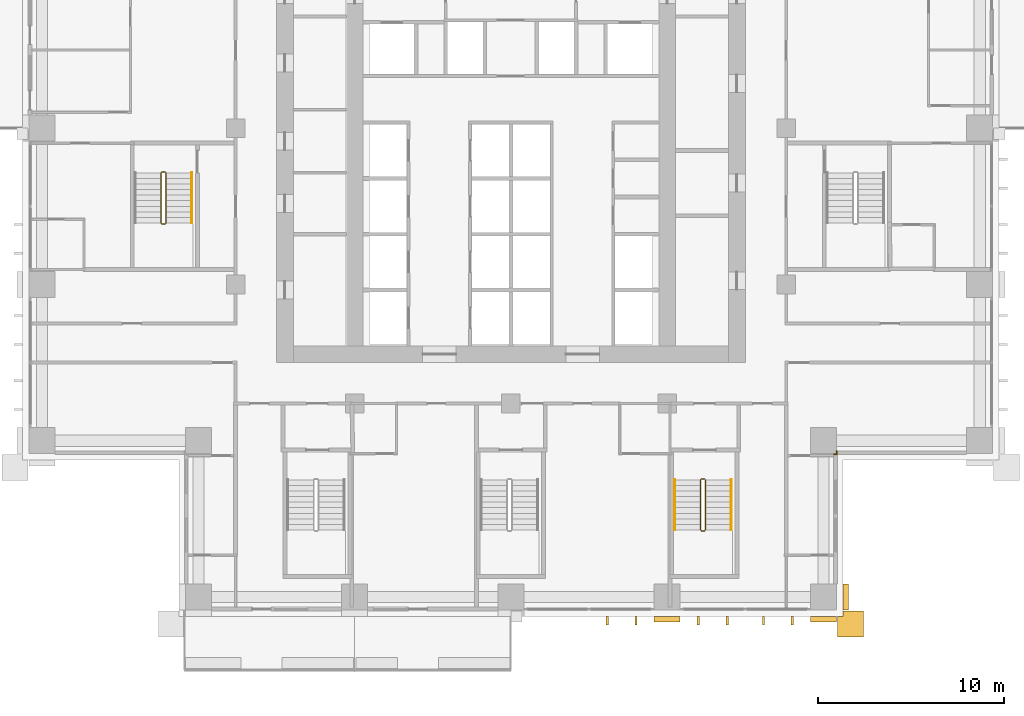
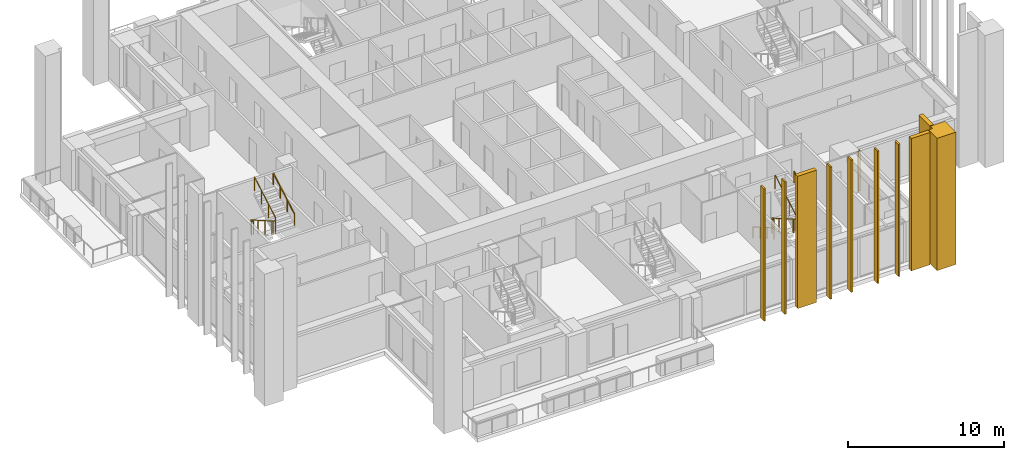
# One storey, part 14 of 17: 11 coverings, 5 railings.
"""IFC4 building model written with IfcOpenShell, lengths in metres."""

from ifc_helpers import new_model, si_unit, direction, frame, origin, origin_2d, place, context, subcontext, project, spatial, polyline, rectangle, outline, extrude, material, layer, layer_set, type_object, element, save


model = new_model("IFC4")

# Units and contexts
model_context = context("Model", 3, precision=1e-05, world=origin(), true_north=direction((0.0, 1.0)))
body_context = subcontext(model_context, "Body", "Model", "MODEL_VIEW")
ifc_project = project(units=[si_unit("LENGTHUNIT", "METRE"), si_unit("AREAUNIT", "SQUARE_METRE"), si_unit("VOLUMEUNIT", "CUBIC_METRE"), si_unit("PLANEANGLEUNIT", "RADIAN"), si_unit("MASSUNIT", "GRAM", prefix="KILO")], contexts=[model_context])

# Site, building, storey
site_placement = place(None, origin())
site = spatial("IfcSite", under=ifc_project, at=site_placement, CompositionType="ELEMENT")
building_placement = place(site_placement, origin())
building = spatial("IfcBuilding", under=site, at=building_placement, Name="Vermilion Ogive Tower", CompositionType="ELEMENT")
storey_placement = place(building_placement, frame((0.0, 0.0, 37.949951171875)))
storey = spatial("IfcBuildingStorey", under=building, at=storey_placement, Name="L07", CompositionType="ELEMENT", Elevation=37.949951171875)

# Coverings
ifc_material_1 = material(Name="Glazed ceramic screen")
ifc_layer = layer(ifc_material_1, 0.14990234375)
ifc_layer_set = layer_set([ifc_layer], Name="Ceramic solar screen fin")
covering_type_1 = type_object("IfcCoveringType", Name="Ceramic solar screen fin", PredefinedType="CLADDING", material=ifc_layer_set)
covering_1_placement = place(storey_placement, frame((0.0, 0.0, -0.320068359375)))
element("IfcCovering", 1, at=covering_1_placement, inside=storey, type_object=covering_type_1, Name="Solar screen blade S011", PredefinedType="CLADDING", context=body_context, shape_type="SweptSolid", body=[
    extrude(outline(polyline([(5.114990234375, -22.5), (5.235107421875, -22.5), (5.235107421875, -22.050048828125), (5.114990234375, -22.050048828125), (5.114990234375, -22.5)])), origin(), (0.0, 0.0, 1.0), 10.35009765625),
])
covering_2_placement = place(storey_placement, frame((0.0, 0.0, -0.320068359375)))
element("IfcCovering", 2, at=covering_2_placement, inside=storey, type_object=covering_type_1, Name="Solar screen blade S012", PredefinedType="CLADDING", context=body_context, shape_type="SweptSolid", body=[
    extrude(outline(polyline([(6.6650390625, -22.5), (6.784912109375, -22.5), (6.784912109375, -22.050048828125), (6.6650390625, -22.050048828125), (6.6650390625, -22.5)])), origin(), (0.0, 0.0, 1.0), 10.35009765625),
])
covering_3_placement = place(storey_placement, frame((0.0, 0.0, -0.320068359375)))
element("IfcCovering", 3, at=covering_3_placement, inside=storey, type_object=covering_type_1, Name="Solar screen blade S021", PredefinedType="CLADDING", context=body_context, shape_type="SweptSolid", body=[
    extrude(outline(polyline([(10.014892578125, -22.5), (10.135009765625, -22.5), (10.135009765625, -22.050048828125), (10.014892578125, -22.050048828125), (10.014892578125, -22.5)])), origin(), (0.0, 0.0, 1.0), 10.35009765625),
])
covering_4_placement = place(storey_placement, frame((0.0, 0.0, -0.320068359375)))
element("IfcCovering", 4, at=covering_4_placement, inside=storey, type_object=covering_type_1, Name="Solar screen blade S022", PredefinedType="CLADDING", context=body_context, shape_type="SweptSolid", body=[
    extrude(outline(polyline([(11.56494140625, -22.5), (11.68505859375, -22.5), (11.68505859375, -22.050048828125), (11.56494140625, -22.050048828125), (11.56494140625, -22.5)])), origin(), (0.0, 0.0, 1.0), 10.35009765625),
])
covering_5_placement = place(storey_placement, frame((0.0, 0.0, -0.320068359375)))
element("IfcCovering", 5, at=covering_5_placement, inside=storey, type_object=covering_type_1, Name="Solar screen blade S031", PredefinedType="CLADDING", context=body_context, shape_type="SweptSolid", body=[
    extrude(outline(polyline([(13.514892578125, -22.5), (13.635009765625, -22.5), (13.635009765625, -22.050048828125), (13.514892578125, -22.050048828125), (13.514892578125, -22.5)])), origin(), (0.0, 0.0, 1.0), 10.35009765625),
])
covering_6_placement = place(storey_placement, frame((0.0, 0.0, -0.320068359375)))
element("IfcCovering", 6, at=covering_6_placement, inside=storey, type_object=covering_type_1, Name="Solar screen blade S032", PredefinedType="CLADDING", context=body_context, shape_type="SweptSolid", body=[
    extrude(outline(polyline([(15.06494140625, -22.5), (15.18505859375, -22.5), (15.18505859375, -22.050048828125), (15.06494140625, -22.050048828125), (15.06494140625, -22.5)])), origin(), (0.0, 0.0, 1.0), 10.35009765625),
])

# Railings
ifc_material_2 = material(Name="Steel S355 painted", Category="steel")
railing_type_1 = type_object("IfcRailingType", Name="Stair guard 1100", PredefinedType="GUARDRAIL", material=ifc_material_2)
railing_1_placement = place(storey_placement, frame((10.39990234375, -14.64990234375, 0.0)))
element("IfcRailing", 7, at=railing_1_placement, inside=storey, type_object=railing_type_1, Name="L07 ST5 stair guard 4", PredefinedType="GUARDRAIL", context=body_context, shape_type="SweptSolid", body=[
    extrude(rectangle(XDim=0.048095703125, YDim=0.048095703125, at=origin_2d()), frame((0.0, 0.0, 1.076171875), z_axis=(-1.0, 0.0, 0.0), x_axis=(0.0, -1.0, 0.0)), (0.0, 0.0, 1.0), 0.14990234375),
    extrude(rectangle(XDim=0.048095703125, YDim=0.048095703125, at=origin_2d()), frame((-0.14990234375, 0.0, 1.076171875), z_axis=(-0.268277960024, -0.268277960024, 0.925231793839), x_axis=(0.707106781187, -0.707106781187, 0.0)), (0.0, 0.0, 1.0), 0.1865234375),
    extrude(rectangle(XDim=0.048095703125, YDim=0.048095703125, at=origin_2d()), frame((-0.199951171875, -0.050048828125, 1.24853515625), z_axis=(0.0, -0.866903762492, 0.498475542607), x_axis=(1.0, 0.0, 0.0)), (0.0, 0.0, 1.0), 3.114501953125),
    extrude(rectangle(XDim=0.048095703125, YDim=0.048095703125, at=origin_2d()), frame((-0.199951171875, -2.75, 2.80126953125), z_axis=(0.707106781187, -0.707106781187, 0.0), x_axis=(0.707106781187, 0.707106781187, 0.0)), (0.0, 0.0, 1.0), 0.07080078125),
    extrude(rectangle(XDim=0.048095703125, YDim=0.048095703125, at=origin_2d()), frame((-0.14990234375, -2.800048828125, 2.80126953125), z_axis=(1.0, 0.0, 0.0), x_axis=(0.0, 1.0, 0.0)), (0.0, 0.0, 1.0), 0.14990234375),
    extrude(rectangle(XDim=0.048095703125, YDim=0.048095703125, at=origin_2d()), frame((0.0, -2.800048828125, 2.80126953125), z_axis=(0.268603158521, 0.268603158521, 0.925043072762), x_axis=(-0.707106781187, 0.707106781187, 0.0)), (0.0, 0.0, 1.0), 0.186279296875),
    extrude(rectangle(XDim=0.048095703125, YDim=0.048095703125, at=origin_2d()), frame((0.050048828125, -2.75, 2.9736328125), z_axis=(0.0, 0.866903762492, 0.498475542607), x_axis=(-1.0, 0.0, 0.0)), (0.0, 0.0, 1.0), 3.114501953125),
    extrude(rectangle(XDim=0.0419921875, YDim=0.0419921875, at=origin_2d()), origin(), (0.0, 0.0, 1.0), 1.052001953125),
    extrude(rectangle(XDim=0.0419921875, YDim=0.0419921875, at=origin_2d()), frame((-0.14990234375, 0.0, 0.0)), (0.0, 0.0, 1.0), 1.052001953125),
    extrude(rectangle(XDim=0.0419921875, YDim=0.0419921875, at=origin_2d()), frame((-0.199951171875, -0.050048828125, 0.172607421875)), (0.0, 0.0, 1.0), 1.052001953125),
    extrude(rectangle(XDim=0.0419921875, YDim=0.0419921875, at=origin_2d()), frame((-0.199951171875, -0.949951171875, 0.690185546875)), (0.0, 0.0, 1.0), 1.052001953125),
    extrude(rectangle(XDim=0.0419921875, YDim=0.0419921875, at=origin_2d()), frame((-0.199951171875, -1.85009765625, 1.20751953125)), (0.0, 0.0, 1.0), 1.052001953125),
    extrude(rectangle(XDim=0.0419921875, YDim=0.0419921875, at=origin_2d()), frame((-0.199951171875, -2.75, 1.72509765625)), (0.0, 0.0, 1.0), 1.052001953125),
    extrude(rectangle(XDim=0.0419921875, YDim=0.0419921875, at=origin_2d()), frame((-0.14990234375, -2.800048828125, 1.72509765625)), (0.0, 0.0, 1.0), 1.052001953125),
    extrude(rectangle(XDim=0.0419921875, YDim=0.0419921875, at=origin_2d()), frame((0.0, -2.800048828125, 1.72509765625)), (0.0, 0.0, 1.0), 1.052001953125),
    extrude(rectangle(XDim=0.0419921875, YDim=0.0419921875, at=origin_2d()), frame((0.050048828125, -2.75, 1.8974609375)), (0.0, 0.0, 1.0), 1.052001953125),
    extrude(rectangle(XDim=0.0419921875, YDim=0.0419921875, at=origin_2d()), frame((0.050048828125, -1.85009765625, 2.4150390625)), (0.0, 0.0, 1.0), 1.052001953125),
    extrude(rectangle(XDim=0.0419921875, YDim=0.0419921875, at=origin_2d()), frame((0.050048828125, -0.949951171875, 2.932373046875)), (0.0, 0.0, 1.0), 1.052001953125),
    extrude(rectangle(XDim=0.0419921875, YDim=0.0419921875, at=origin_2d()), frame((0.050048828125, -0.050048828125, 3.449951171875)), (0.0, 0.0, 1.0), 1.052001953125),
])
railing_2_placement = place(storey_placement, frame((-18.60009765625, 1.85009765625, 0.0)))
element("IfcRailing", 8, at=railing_2_placement, inside=storey, type_object=railing_type_1, Name="L07 ST9 stair guard 4", PredefinedType="GUARDRAIL", context=body_context, shape_type="SweptSolid", body=[
    extrude(rectangle(XDim=0.048095703125, YDim=0.048095703125, at=origin_2d()), frame((0.0, 0.0, 1.076171875), z_axis=(-1.0, 0.0, 0.0), x_axis=(0.0, -1.0, 0.0)), (0.0, 0.0, 1.0), 0.14990234375),
    extrude(rectangle(XDim=0.048095703125, YDim=0.048095703125, at=origin_2d()), frame((-0.14990234375, 0.0, 1.076171875), z_axis=(-0.268277960024, -0.268277960024, 0.925231793839), x_axis=(0.707106781187, -0.707106781187, 0.0)), (0.0, 0.0, 1.0), 0.1865234375),
    extrude(rectangle(XDim=0.048095703125, YDim=0.048095703125, at=origin_2d()), frame((-0.199951171875, -0.050048828125, 1.24853515625), z_axis=(0.0, -0.866903762492, 0.498475542607), x_axis=(1.0, 0.0, 0.0)), (0.0, 0.0, 1.0), 3.114501953125),
    extrude(rectangle(XDim=0.048095703125, YDim=0.048095703125, at=origin_2d()), frame((-0.199951171875, -2.75, 2.80126953125), z_axis=(0.707106781187, -0.707106781187, 0.0), x_axis=(0.707106781187, 0.707106781187, 0.0)), (0.0, 0.0, 1.0), 0.07080078125),
    extrude(rectangle(XDim=0.048095703125, YDim=0.048095703125, at=origin_2d()), frame((-0.14990234375, -2.800048828125, 2.80126953125), z_axis=(1.0, 0.0, 0.0), x_axis=(0.0, 1.0, 0.0)), (0.0, 0.0, 1.0), 0.14990234375),
    extrude(rectangle(XDim=0.048095703125, YDim=0.048095703125, at=origin_2d()), frame((0.0, -2.800048828125, 2.80126953125), z_axis=(0.268603158521, 0.268603158521, 0.925043072762), x_axis=(-0.707106781187, 0.707106781187, 0.0)), (0.0, 0.0, 1.0), 0.186279296875),
    extrude(rectangle(XDim=0.048095703125, YDim=0.048095703125, at=origin_2d()), frame((0.050048828125, -2.75, 2.9736328125), z_axis=(0.0, 0.866903762492, 0.498475542607), x_axis=(-1.0, 0.0, 0.0)), (0.0, 0.0, 1.0), 3.114501953125),
    extrude(rectangle(XDim=0.0419921875, YDim=0.0419921875, at=origin_2d()), origin(), (0.0, 0.0, 1.0), 1.052001953125),
    extrude(rectangle(XDim=0.0419921875, YDim=0.0419921875, at=origin_2d()), frame((-0.14990234375, 0.0, 0.0)), (0.0, 0.0, 1.0), 1.052001953125),
    extrude(rectangle(XDim=0.0419921875, YDim=0.0419921875, at=origin_2d()), frame((-0.199951171875, -0.050048828125, 0.172607421875)), (0.0, 0.0, 1.0), 1.052001953125),
    extrude(rectangle(XDim=0.0419921875, YDim=0.0419921875, at=origin_2d()), frame((-0.199951171875, -0.949951171875, 0.690185546875)), (0.0, 0.0, 1.0), 1.052001953125),
    extrude(rectangle(XDim=0.0419921875, YDim=0.0419921875, at=origin_2d()), frame((-0.199951171875, -1.85009765625, 1.20751953125)), (0.0, 0.0, 1.0), 1.052001953125),
    extrude(rectangle(XDim=0.0419921875, YDim=0.0419921875, at=origin_2d()), frame((-0.199951171875, -2.75, 1.72509765625)), (0.0, 0.0, 1.0), 1.052001953125),
    extrude(rectangle(XDim=0.0419921875, YDim=0.0419921875, at=origin_2d()), frame((-0.14990234375, -2.800048828125, 1.72509765625)), (0.0, 0.0, 1.0), 1.052001953125),
    extrude(rectangle(XDim=0.0419921875, YDim=0.0419921875, at=origin_2d()), frame((0.0, -2.800048828125, 1.72509765625)), (0.0, 0.0, 1.0), 1.052001953125),
    extrude(rectangle(XDim=0.0419921875, YDim=0.0419921875, at=origin_2d()), frame((0.050048828125, -2.75, 1.8974609375)), (0.0, 0.0, 1.0), 1.052001953125),
    extrude(rectangle(XDim=0.0419921875, YDim=0.0419921875, at=origin_2d()), frame((0.050048828125, -1.85009765625, 2.4150390625)), (0.0, 0.0, 1.0), 1.052001953125),
    extrude(rectangle(XDim=0.0419921875, YDim=0.0419921875, at=origin_2d()), frame((0.050048828125, -0.949951171875, 2.932373046875)), (0.0, 0.0, 1.0), 1.052001953125),
    extrude(rectangle(XDim=0.0419921875, YDim=0.0419921875, at=origin_2d()), frame((0.050048828125, -0.050048828125, 3.449951171875)), (0.0, 0.0, 1.0), 1.052001953125),
])
ifc_material_3 = material(Name="Stainless steel", Category="steel")
railing_type_2 = type_object("IfcRailingType", Name="Stair handrail 900", PredefinedType="HANDRAIL", material=ifc_material_3)
railing_3_placement = place(storey_placement, frame((8.800048828125, -14.699951171875, 0.172607421875)))
element("IfcRailing", 9, at=railing_3_placement, inside=storey, type_object=railing_type_2, Name="L07 ST5 stair handrail 1", PredefinedType="HANDRAIL", context=body_context, shape_type="SweptSolid", body=[
    extrude(rectangle(XDim=0.048095703125, YDim=0.048095703125, at=origin_2d()), frame((0.0, 0.0, 0.8759765625), z_axis=(0.0, -0.866903762492, 0.498475542607), x_axis=(1.0, 0.0, 0.0)), (0.0, 0.0, 1.0), 3.114501953125),
    extrude(rectangle(XDim=0.0419921875, YDim=0.0419921875, at=origin_2d()), origin(), (0.0, 0.0, 1.0), 0.851806640625),
    extrude(rectangle(XDim=0.0419921875, YDim=0.0419921875, at=origin_2d()), frame((0.0, -0.89990234375, 0.517578125)), (0.0, 0.0, 1.0), 0.851806640625),
    extrude(rectangle(XDim=0.0419921875, YDim=0.0419921875, at=origin_2d()), frame((0.0, -1.800048828125, 1.034912109375)), (0.0, 0.0, 1.0), 0.851806640625),
    extrude(rectangle(XDim=0.0419921875, YDim=0.0419921875, at=origin_2d()), frame((0.0, -2.699951171875, 1.552490234375)), (0.0, 0.0, 1.0), 0.851806640625),
])
for number, where, name in (
    (10, (11.85009765625, -17.39990234375, 1.8974609375), "L07 ST5 stair handrail 2"),
    (11, (-17.14990234375, -0.89990234375, 1.8974609375), "L07 ST9 stair handrail 2"),
):
    element("IfcRailing", number, at=place(storey_placement, frame(where)), inside=storey, type_object=railing_type_2, Name=name, PredefinedType="HANDRAIL", context=body_context, shape_type="SweptSolid", body=[
        extrude(rectangle(XDim=0.048095703125, YDim=0.048095703125, at=origin_2d()), frame((0.0, 0.0, 0.8759765625), z_axis=(0.0, 0.866903762492, 0.498475542607), x_axis=(-1.0, 0.0, 0.0)), (0.0, 0.0, 1.0), 3.114501953125),
        extrude(rectangle(XDim=0.0419921875, YDim=0.0419921875, at=origin_2d()), origin(), (0.0, 0.0, 1.0), 0.851806640625),
        extrude(rectangle(XDim=0.0419921875, YDim=0.0419921875, at=origin_2d()), frame((0.0, 0.89990234375, 0.517578125)), (0.0, 0.0, 1.0), 0.851806640625),
        extrude(rectangle(XDim=0.0419921875, YDim=0.0419921875, at=origin_2d()), frame((0.0, 1.800048828125, 1.034912109375)), (0.0, 0.0, 1.0), 0.851806640625),
        extrude(rectangle(XDim=0.0419921875, YDim=0.0419921875, at=origin_2d()), frame((0.0, 2.699951171875, 1.552490234375)), (0.0, 0.0, 1.0), 0.851806640625),
    ])

# Coverings
ifc_material_4 = material(Name="Stone cladding", Category="masonry")
covering_type_2 = type_object("IfcCoveringType", Name="Stone corner buttress", PredefinedType="CLADDING", material=ifc_material_4)
covering_7_placement = place(storey_placement, frame((0.0, 0.0, -0.320068359375)))
element("IfcCovering", 12, at=covering_7_placement, inside=storey, type_object=covering_type_2, Name="Stone corner buttress X11", PredefinedType="CLADDING", context=body_context, shape_type="SweptSolid", body=[
    extrude(outline(polyline([(17.550048828125, -22.050048828125), (17.85009765625, -22.050048828125), (17.85009765625, -21.75), (18.949951171875, -21.75), (18.949951171875, -23.14990234375), (17.550048828125, -23.14990234375), (17.550048828125, -22.050048828125)])), origin(), (0.0, 0.0, 1.0), 10.35009765625),
])
ifc_material_5 = material(Name="Stone cladding", Category="masonry")
covering_type_3 = type_object("IfcCoveringType", Name="Stone pier", PredefinedType="CLADDING", material=ifc_material_5)
covering_8_placement = place(storey_placement, origin())
element("IfcCovering", 13, at=covering_8_placement, inside=storey, type_object=covering_type_3, Name="Stone corner pier X1E1", PredefinedType="CLADDING", context=body_context, shape_type="SweptSolid", body=[
    extrude(outline(polyline([(17.35009765625, -13.300048828125), (17.5, -13.300048828125), (17.5, -13.14990234375), (17.550048828125, -13.14990234375), (17.550048828125, -13.35009765625), (17.35009765625, -13.35009765625), (17.35009765625, -13.300048828125)])), origin(), (0.0, 0.0, 1.0), 3.130126953125),
])
covering_9_placement = place(storey_placement, frame((0.0, 0.0, -0.320068359375)))
element("IfcCovering", 14, at=covering_9_placement, inside=storey, type_object=covering_type_3, Name="Stone pier P+0084-210", PredefinedType="CLADDING", context=body_context, shape_type="SweptSolid", body=[
    extrude(outline(polyline([(9.10009765625, -22.35009765625), (7.699951171875, -22.35009765625), (7.699951171875, -22.050048828125), (9.10009765625, -22.050048828125), (9.10009765625, -22.35009765625)])), origin(), (0.0, 0.0, 1.0), 10.35009765625),
])
covering_10_placement = place(storey_placement, frame((0.0, 0.0, -0.320068359375)))
element("IfcCovering", 15, at=covering_10_placement, inside=storey, type_object=covering_type_3, Name="Stone pier P+0168-210S", PredefinedType="CLADDING", context=body_context, shape_type="SweptSolid", body=[
    extrude(outline(polyline([(17.5, -22.35009765625), (16.10009765625, -22.35009765625), (16.10009765625, -22.050048828125), (17.5, -22.050048828125), (17.5, -22.35009765625)])), origin(), (0.0, 0.0, 1.0), 10.35009765625),
])
covering_11_placement = place(storey_placement, frame((0.0, 0.0, -0.320068359375)))
element("IfcCovering", 16, at=covering_11_placement, inside=storey, type_object=covering_type_3, Name="Stone pier P+0168-210X1", PredefinedType="CLADDING", context=body_context, shape_type="SweptSolid", body=[
    extrude(outline(polyline([(18.14990234375, -21.699951171875), (17.85009765625, -21.699951171875), (17.85009765625, -20.300048828125), (18.14990234375, -20.300048828125), (18.14990234375, -21.699951171875)])), origin(), (0.0, 0.0, 1.0), 10.35009765625),
])

save(model, "model.ifc")
